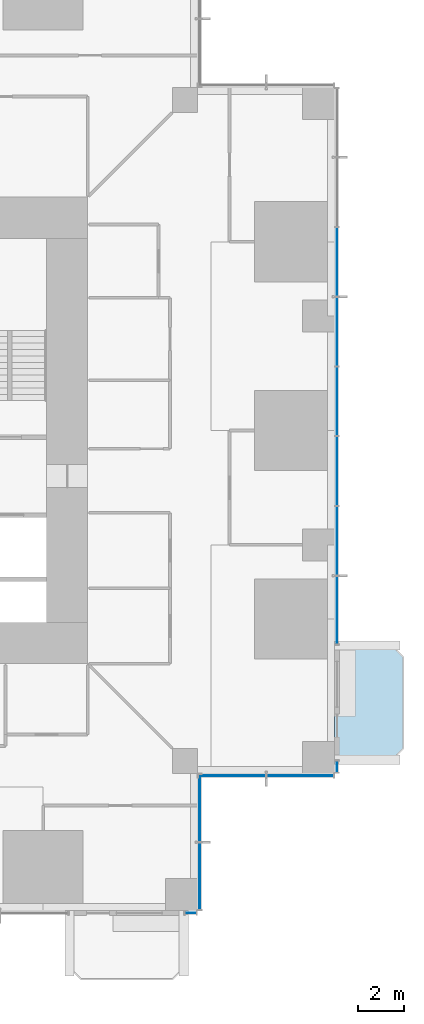
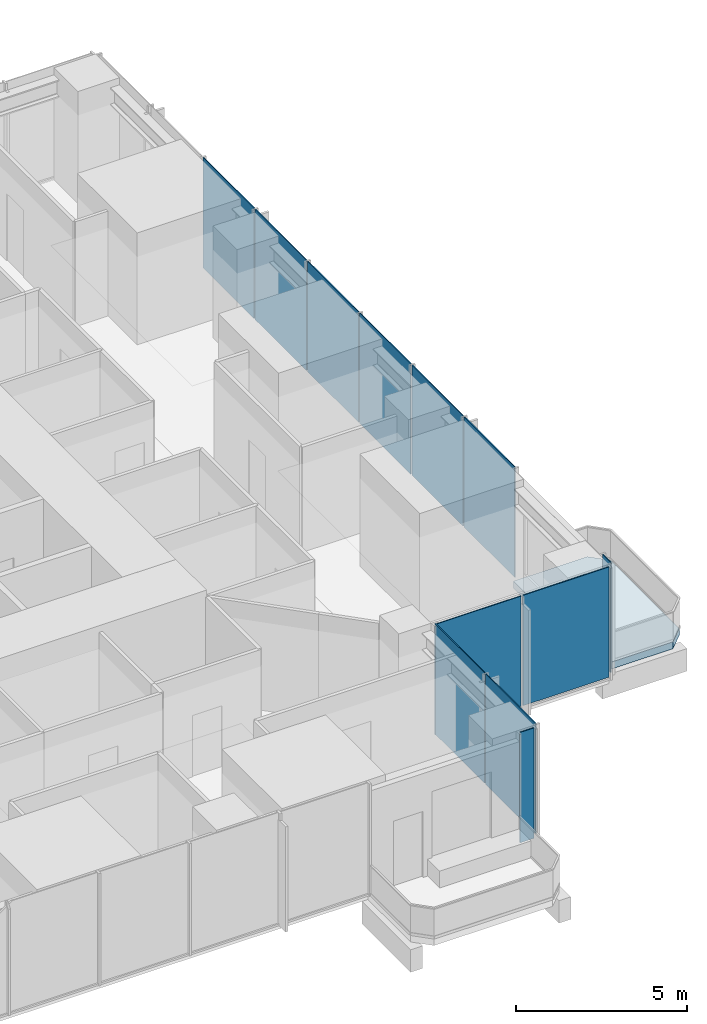
# One storey, part 8 of 16: 12 plates, 1 slab, 5 elements without a shape of their own.
"""IFC4 building model written with IfcOpenShell, lengths in metres."""

from ifc_helpers import new_model, si_unit, direction, frame, origin, origin_2d, place, context, subcontext, project, spatial, polyline, rectangle, outline, extrude, material, layer, layer_set, type_object, element, aggregate, save


model = new_model("IFC4")

# Units and contexts
model_context = context("Model", 3, precision=1e-05, world=origin(), true_north=direction((0.0, 1.0)))
body_context = subcontext(model_context, "Body", "Model", "MODEL_VIEW")
ifc_project = project(units=[si_unit("LENGTHUNIT", "METRE"), si_unit("AREAUNIT", "SQUARE_METRE"), si_unit("VOLUMEUNIT", "CUBIC_METRE"), si_unit("PLANEANGLEUNIT", "RADIAN"), si_unit("MASSUNIT", "GRAM", prefix="KILO")], contexts=[model_context])

# Site, building, storey
site_placement = place(None, origin())
site = spatial("IfcSite", under=ifc_project, at=site_placement, CompositionType="ELEMENT")
building_placement = place(site_placement, origin())
building = spatial("IfcBuilding", under=site, at=building_placement, Name="Svetlomir Tower", CompositionType="ELEMENT")
storey_placement = place(building_placement, frame((0.0, 0.0, 50.5)))
storey = spatial("IfcBuildingStorey", under=building, at=storey_placement, Name="L11", CompositionType="ELEMENT", Elevation=50.5)

# Slab
ifc_material_1 = material(Name="Concrete C60/75", Category="concrete")
ifc_layer_1 = layer(ifc_material_1, 0.25)
ifc_layer_set_1 = layer_set([ifc_layer_1], Name="Concrete C60/75")
slab_type = type_object("IfcSlabType", Name="BALCONY SLAB 250", PredefinedType="FLOOR", material=ifc_layer_set_1)
slab_placement = place(storey_placement, frame((0.0, 0.0, -0.25)))
element("IfcSlab", 1, at=slab_placement, inside=storey, type_object=slab_type, Name="L11 E planted balcony", PredefinedType="FLOOR", context=body_context, shape_type="SweptSolid", body=[
    extrude(outline(polyline([(42.0, 6.60009765625), (44.5, 6.60009765625), (45.0, 7.10009765625), (45.0, 11.10009765625), (44.5, 11.60009765625), (42.0, 11.60009765625), (42.0, 6.60009765625)])), origin(), (0.0, 0.0, 1.0), 0.25),
])

# Curtain wall, plate
ifc_material_2 = material(Name="Bronze anodised aluminium curtain wall", Category="aluminium")
curtain_wall_type = type_object("IfcCurtainWallType", Name="CURTAIN WALL CW1 TOWER OFFICE", PredefinedType="NOTDEFINED", material=ifc_material_2)
curtain_wall_1_placement = place(storey_placement, origin())
curtain_wall_1 = element("IfcCurtainWall", 2, at=curtain_wall_1_placement, inside=storey, type_object=curtain_wall_type, Name="Curtain wall CW1 L11", PredefinedType="NOTDEFINED")
ifc_material_3 = material(Name="Tinted double glazed unit", Category="glass")
ifc_layer_2 = layer(ifc_material_3, 0.031982421875)
ifc_layer_set_2 = layer_set([ifc_layer_2], Name="Tinted double glazed unit")
plate_type = type_object("IfcPlateType", Name="CW1 GLAZED PANEL 32", PredefinedType="CURTAIN_PANEL", material=ifc_layer_set_2)
plate_1_placement = place(storey_placement, frame((35.699951171875, -0.10009765625, 0.06494140625), z_axis=(0.0, 0.0, 1.0), x_axis=(1.0, 0.0, 0.0)))
plate_1 = element("IfcPlate", 3, at=plate_1_placement, type_object=plate_type, Name="CW1 panel 1.1", PredefinedType="CURTAIN_PANEL", context=body_context, shape_type="SweptSolid", body=[
    extrude(rectangle(XDim=0.469970703125, YDim=0.031982421875, at=origin_2d()), origin(), (0.0, 0.0, 1.0), 3.93505859375),
])
aggregate(curtain_wall_1, [plate_1])

# Curtain wall, plates
curtain_wall_2_placement = place(storey_placement, origin())
curtain_wall_2 = element("IfcCurtainWall", 4, at=curtain_wall_2_placement, inside=storey, type_object=curtain_wall_type, Name="Curtain wall CW1 L11", PredefinedType="NOTDEFINED")
plate_2_placement = place(storey_placement, frame((36.10009765625, 1.516357421875, 0.06494140625), z_axis=(0.0, 0.0, 1.0), x_axis=(0.0, 1.0, 0.0)))
plate_2 = element("IfcPlate", 5, at=plate_2_placement, type_object=plate_type, Name="CW1 panel 1.1", PredefinedType="CURTAIN_PANEL", context=body_context, shape_type="SweptSolid", body=[
    extrude(rectangle(XDim=2.902587890625, YDim=0.031982421875, at=origin_2d()), origin(), (0.0, 0.0, 1.0), 3.93505859375),
])
plate_3_placement = place(storey_placement, frame((36.10009765625, 4.483642578125, 0.06494140625), z_axis=(0.0, 0.0, 1.0), x_axis=(0.0, 1.0, 0.0)))
plate_3 = element("IfcPlate", 6, at=plate_3_placement, type_object=plate_type, Name="CW1 panel 2.1", PredefinedType="CURTAIN_PANEL", context=body_context, shape_type="SweptSolid", body=[
    extrude(rectangle(XDim=2.902587890625, YDim=0.031982421875, at=origin_2d()), origin(), (0.0, 0.0, 1.0), 3.93505859375),
])
aggregate(curtain_wall_2, [plate_2, plate_3])

curtain_wall_3_placement = place(storey_placement, origin())
curtain_wall_3 = element("IfcCurtainWall", 7, at=curtain_wall_3_placement, inside=storey, type_object=curtain_wall_type, Name="Curtain wall CW1 L11", PredefinedType="NOTDEFINED")
plate_4_placement = place(storey_placement, frame((37.516357421875, 5.89990234375, 0.06494140625), z_axis=(0.0, 0.0, 1.0), x_axis=(1.0, 0.0, 0.0)))
plate_4 = element("IfcPlate", 8, at=plate_4_placement, type_object=plate_type, Name="CW1 panel 1.1", PredefinedType="CURTAIN_PANEL", context=body_context, shape_type="SweptSolid", body=[
    extrude(rectangle(XDim=2.902587890625, YDim=0.031982421875, at=origin_2d()), origin(), (0.0, 0.0, 1.0), 3.93505859375),
])
plate_5_placement = place(storey_placement, frame((40.483642578125, 5.89990234375, 0.06494140625), z_axis=(0.0, 0.0, 1.0), x_axis=(1.0, 0.0, 0.0)))
plate_5 = element("IfcPlate", 9, at=plate_5_placement, type_object=plate_type, Name="CW1 panel 2.1", PredefinedType="CURTAIN_PANEL", context=body_context, shape_type="SweptSolid", body=[
    extrude(rectangle(XDim=2.902587890625, YDim=0.031982421875, at=origin_2d()), origin(), (0.0, 0.0, 1.0), 3.93505859375),
])
aggregate(curtain_wall_3, [plate_4, plate_5])

# Curtain wall, plate
curtain_wall_4_placement = place(storey_placement, origin())
curtain_wall_4 = element("IfcCurtainWall", 10, at=curtain_wall_4_placement, inside=storey, type_object=curtain_wall_type, Name="Curtain wall CW1 L11", PredefinedType="NOTDEFINED")
plate_6_placement = place(storey_placement, frame((42.10009765625, 6.300048828125, 0.06494140625), z_axis=(0.0, 0.0, 1.0), x_axis=(0.0, 1.0, 0.0)))
plate_6 = element("IfcPlate", 11, at=plate_6_placement, type_object=plate_type, Name="CW1 panel 1.1", PredefinedType="CURTAIN_PANEL", context=body_context, shape_type="SweptSolid", body=[
    extrude(rectangle(XDim=0.469970703125, YDim=0.031982421875, at=origin_2d()), origin(), (0.0, 0.0, 1.0), 3.93505859375),
])
aggregate(curtain_wall_4, [plate_6])

# Curtain wall, plates
curtain_wall_5_placement = place(storey_placement, origin())
curtain_wall_5 = element("IfcCurtainWall", 12, at=curtain_wall_5_placement, inside=storey, type_object=curtain_wall_type, Name="Curtain wall CW1 L11", PredefinedType="NOTDEFINED")
plate_7_placement = place(storey_placement, frame((42.10009765625, 13.141357421875, 0.06494140625), z_axis=(0.0, 0.0, 1.0), x_axis=(0.0, 1.0, 0.0)))
plate_7 = element("IfcPlate", 13, at=plate_7_placement, type_object=plate_type, Name="CW1 panel 1.1", PredefinedType="CURTAIN_PANEL", context=body_context, shape_type="SweptSolid", body=[
    extrude(rectangle(XDim=2.952392578125, YDim=0.031982421875, at=origin_2d()), origin(), (0.0, 0.0, 1.0), 3.93505859375),
])
plate_8_placement = place(storey_placement, frame((42.10009765625, 16.175048828125, 0.06494140625), z_axis=(0.0, 0.0, 1.0), x_axis=(0.0, 1.0, 0.0)))
plate_8 = element("IfcPlate", 14, at=plate_8_placement, type_object=plate_type, Name="CW1 panel 2.1", PredefinedType="CURTAIN_PANEL", context=body_context, shape_type="SweptSolid", body=[
    extrude(rectangle(XDim=2.985107421875, YDim=0.031982421875, at=origin_2d()), origin(), (0.0, 0.0, 1.0), 3.93505859375),
])
plate_9_placement = place(storey_placement, frame((42.10009765625, 19.22509765625, 0.06494140625), z_axis=(0.0, 0.0, 1.0), x_axis=(0.0, 1.0, 0.0)))
plate_9 = element("IfcPlate", 15, at=plate_9_placement, type_object=plate_type, Name="CW1 panel 3.1", PredefinedType="CURTAIN_PANEL", context=body_context, shape_type="SweptSolid", body=[
    extrude(rectangle(XDim=2.985107421875, YDim=0.031982421875, at=origin_2d()), origin(), (0.0, 0.0, 1.0), 3.93505859375),
])
plate_10_placement = place(storey_placement, frame((42.10009765625, 22.27490234375, 0.06494140625), z_axis=(0.0, 0.0, 1.0), x_axis=(0.0, 1.0, 0.0)))
plate_10 = element("IfcPlate", 16, at=plate_10_placement, type_object=plate_type, Name="CW1 panel 4.1", PredefinedType="CURTAIN_PANEL", context=body_context, shape_type="SweptSolid", body=[
    extrude(rectangle(XDim=2.985107421875, YDim=0.031982421875, at=origin_2d()), origin(), (0.0, 0.0, 1.0), 3.93505859375),
])
plate_11_placement = place(storey_placement, frame((42.10009765625, 25.324951171875, 0.06494140625), z_axis=(0.0, 0.0, 1.0), x_axis=(0.0, 1.0, 0.0)))
plate_11 = element("IfcPlate", 17, at=plate_11_placement, type_object=plate_type, Name="CW1 panel 5.1", PredefinedType="CURTAIN_PANEL", context=body_context, shape_type="SweptSolid", body=[
    extrude(rectangle(XDim=2.985107421875, YDim=0.031982421875, at=origin_2d()), origin(), (0.0, 0.0, 1.0), 3.93505859375),
])
plate_12_placement = place(storey_placement, frame((42.10009765625, 28.375, 0.06494140625), z_axis=(0.0, 0.0, 1.0), x_axis=(0.0, 1.0, 0.0)))
plate_12 = element("IfcPlate", 18, at=plate_12_placement, type_object=plate_type, Name="CW1 panel 6.1", PredefinedType="CURTAIN_PANEL", context=body_context, shape_type="SweptSolid", body=[
    extrude(rectangle(XDim=2.985107421875, YDim=0.031982421875, at=origin_2d()), origin(), (0.0, 0.0, 1.0), 3.93505859375),
])
aggregate(curtain_wall_5, [plate_7, plate_8, plate_9, plate_10, plate_11, plate_12])

save(model, "model.ifc")
